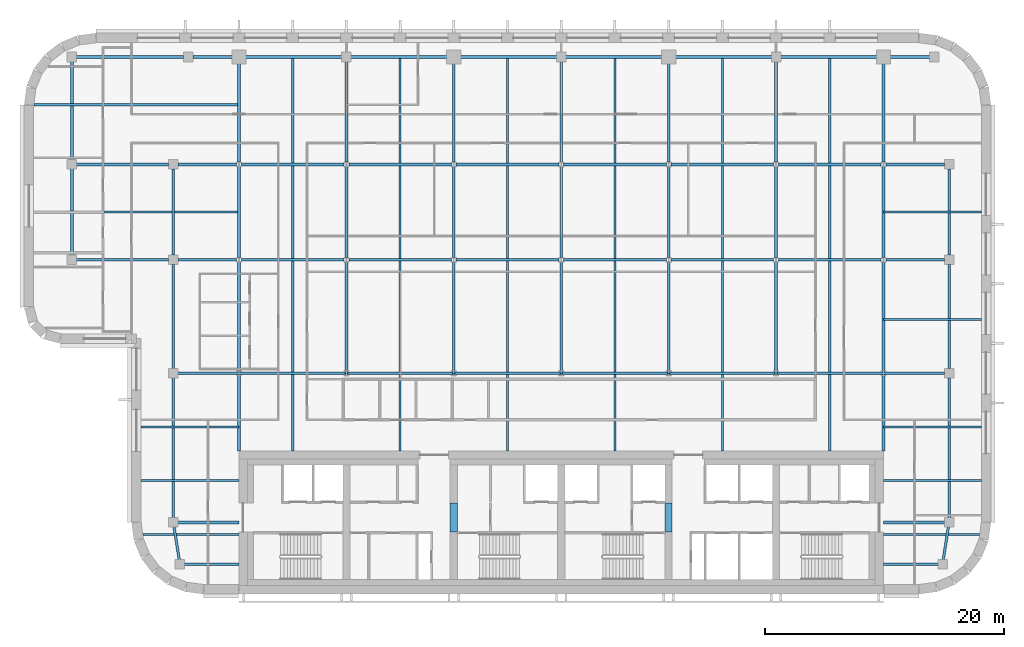
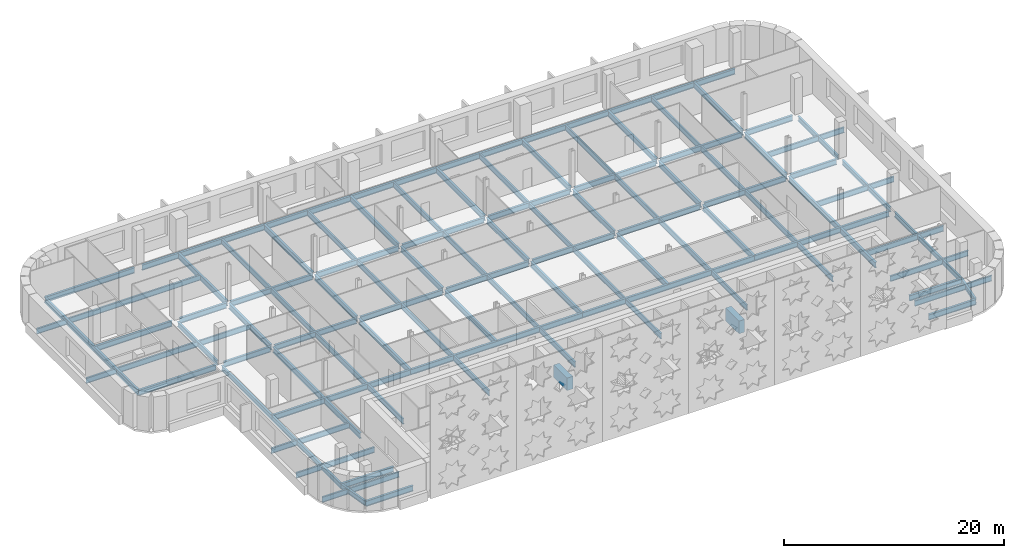
# One storey, part 5 of 18: 80 beams.
"""IFC4 building model written with IfcOpenShell, lengths in metres."""

from ifc_helpers import new_model, si_unit, direction, frame, origin, origin_2d, place, context, subcontext, project, spatial, rectangle, i_section, extrude, material, material_profile, profile_set, type_object, element, save


model = new_model("IFC4")

# Units and contexts
model_context = context("Model", 3, precision=1e-05, world=origin(), true_north=direction((0.0, 1.0)))
body_context = subcontext(model_context, "Body", "Model", "MODEL_VIEW")
ifc_project = project(units=[si_unit("LENGTHUNIT", "METRE"), si_unit("AREAUNIT", "SQUARE_METRE"), si_unit("VOLUMEUNIT", "CUBIC_METRE"), si_unit("PLANEANGLEUNIT", "RADIAN"), si_unit("MASSUNIT", "GRAM", prefix="KILO")], contexts=[model_context])

# Site, building, storey
site_placement = place(None, origin())
site = spatial("IfcSite", under=ifc_project, at=site_placement, CompositionType="ELEMENT")
building_placement = place(site_placement, origin())
building = spatial("IfcBuilding", under=site, at=building_placement, Name="Zellij Exchange Tower", CompositionType="ELEMENT")
storey_placement = place(building_placement, frame((0.0, 0.0, 240.5)))
storey = spatial("IfcBuildingStorey", under=building, at=storey_placement, Name="L56", CompositionType="ELEMENT", Elevation=240.5)

# Beams
ifc_material_1 = material(Name="Concrete C50/60", Category="concrete")
ifc_material_profile_1 = material_profile(ifc_material_1, rectangle(XDim=0.60009765625, YDim=1.39990234375, at=origin_2d()), Name="CORE-CB 600x1400 C50/60")
ifc_profile_set_1 = profile_set([ifc_material_profile_1], Name="Concrete C50/60")
beam_type_1 = type_object("IfcBeamType", Name="CORE-CB 600x1400 C50/60", PredefinedType="BEAM", material=ifc_profile_set_1)
for number, where, z_axis, x_axis, name in (
    (1, (-9.0, -8.800048828125, 3.10009765625), (0.0, 1.0, 0.0), (-1.0, 0.0, 0.0), "Core coupling beam x -9 L56"),
    (2, (9.0, -8.800048828125, 3.10009765625), (0.0, 1.0, 0.0), (-1.0, 0.0, 0.0), "Core coupling beam x 9 L56"),
):
    element("IfcBeam", number, at=place(storey_placement, frame(where, z_axis=z_axis, x_axis=x_axis)), inside=storey, type_object=beam_type_1, Name=name, PredefinedType="BEAM", context=body_context, shape_type="SweptSolid", body=[
        extrude(rectangle(XDim=0.60009765625, YDim=1.39990234375, at=origin_2d()), origin(), (0.0, 0.0, 1.0), 2.425048828125),
    ])
ifc_material_2 = material(Name="Structural steel ASTM A992 Gr 50", Category="steel")
ifc_material_profile_2 = material_profile(ifc_material_2, i_section(OverallWidth=0.177978515625, OverallDepth=0.599365234375, WebThickness=0.010009765625, FlangeThickness=0.012939453125, at=origin_2d()), Name="W24x55")
ifc_profile_set_2 = profile_set([ifc_material_profile_2], Name="Structural steel ASTM A992 Gr 50")
beam_type_2 = type_object("IfcBeamType", Name="STR-BEAM W24x55", PredefinedType="BEAM", material=ifc_profile_set_2)
for number, where, z_axis, x_axis, name in (
    (3, (-22.5, -2.0, -0.499755859375), (0.0, 1.0, 0.0), (-1.0, 0.0, 0.0), "B4"),
    (4, (-13.5, -2.0, -0.499755859375), (0.0, 1.0, 0.0), (-1.0, 0.0, 0.0), "B4"),
    (5, (-4.5, -2.0, -0.499755859375), (0.0, 1.0, 0.0), (-1.0, 0.0, 0.0), "B4"),
    (6, (4.5, -2.0, -0.499755859375), (0.0, 1.0, 0.0), (-1.0, 0.0, 0.0), "B4"),
    (7, (13.5, -2.0, -0.499755859375), (0.0, 1.0, 0.0), (-1.0, 0.0, 0.0), "B4"),
    (8, (22.5, -2.0, -0.499755859375), (0.0, 1.0, 0.0), (-1.0, 0.0, 0.0), "B4"),
):
    element("IfcBeam", number, at=place(storey_placement, frame(where, z_axis=z_axis, x_axis=x_axis)), inside=storey, type_object=beam_type_2, Name=name, PredefinedType="BEAM", context=body_context, shape_type="SweptSolid", body=[
        extrude(i_section(OverallWidth=0.177978515625, OverallDepth=0.599365234375, WebThickness=0.010009765625, FlangeThickness=0.012939453125, at=origin_2d()), origin(), (0.0, 0.0, 1.0), 33.1142578125),
    ])
beam_1_placement = place(storey_placement, frame((-35.06103515625, -9.0, -0.499755859375), z_axis=(1.0, 0.0, 0.0), x_axis=(0.0, 1.0, 0.0)))
element("IfcBeam", 9, at=beam_1_placement, inside=storey, type_object=beam_type_2, Name="B4", PredefinedType="BEAM", context=body_context, shape_type="SweptSolid", body=[
    extrude(i_section(OverallWidth=0.177978515625, OverallDepth=0.599365234375, WebThickness=0.010009765625, FlangeThickness=0.012939453125, at=origin_2d()), origin(), (0.0, 0.0, 1.0), 8.06103515625),
])
for number, where, z_axis, x_axis, name in (
    (10, (-35.199951171875, -4.5, -0.499755859375), (1.0, 0.0, 0.0), (0.0, 1.0, 0.0), "B4"),
    (11, (-35.199951171875, 0.0, -0.499755859375), (1.0, 0.0, 0.0), (0.0, 1.0, 0.0), "B4"),
):
    element("IfcBeam", number, at=place(storey_placement, frame(where, z_axis=z_axis, x_axis=x_axis)), inside=storey, type_object=beam_type_2, Name=name, PredefinedType="BEAM", context=body_context, shape_type="SweptSolid", body=[
        extrude(i_section(OverallWidth=0.177978515625, OverallDepth=0.599365234375, WebThickness=0.010009765625, FlangeThickness=0.012939453125, at=origin_2d()), origin(), (0.0, 0.0, 1.0), 8.199951171875),
    ])
beam_2_placement = place(storey_placement, frame((-44.199951171875, 18.0, -0.499755859375), z_axis=(1.0, 0.0, 0.0), x_axis=(0.0, 1.0, 0.0)))
element("IfcBeam", 12, at=beam_2_placement, inside=storey, type_object=beam_type_2, Name="B4", PredefinedType="BEAM", context=body_context, shape_type="SweptSolid", body=[
    extrude(i_section(OverallWidth=0.177978515625, OverallDepth=0.599365234375, WebThickness=0.010009765625, FlangeThickness=0.012939453125, at=origin_2d()), origin(), (0.0, 0.0, 1.0), 17.199951171875),
])
beam_3_placement = place(storey_placement, frame((-44.193115234375, 27.0, -0.499755859375), z_axis=(1.0, 0.0, 0.0), x_axis=(0.0, 1.0, 0.0)))
element("IfcBeam", 13, at=beam_3_placement, inside=storey, type_object=beam_type_2, Name="B4", PredefinedType="BEAM", context=body_context, shape_type="SweptSolid", body=[
    extrude(i_section(OverallWidth=0.177978515625, OverallDepth=0.599365234375, WebThickness=0.010009765625, FlangeThickness=0.012939453125, at=origin_2d()), origin(), (0.0, 0.0, 1.0), 17.193115234375),
])
beam_4_placement = place(storey_placement, frame((27.0, -9.0, -0.499755859375), z_axis=(1.0, 0.0, 0.0), x_axis=(0.0, 1.0, 0.0)))
element("IfcBeam", 14, at=beam_4_placement, inside=storey, type_object=beam_type_2, Name="B4", PredefinedType="BEAM", context=body_context, shape_type="SweptSolid", body=[
    extrude(i_section(OverallWidth=0.177978515625, OverallDepth=0.599365234375, WebThickness=0.010009765625, FlangeThickness=0.012939453125, at=origin_2d()), origin(), (0.0, 0.0, 1.0), 8.06103515625),
])
for number, where, z_axis, x_axis, name in (
    (15, (27.0, -4.5, -0.499755859375), (1.0, 0.0, 0.0), (0.0, 1.0, 0.0), "B4"),
    (16, (27.0, 0.0, -0.499755859375), (1.0, 0.0, 0.0), (0.0, 1.0, 0.0), "B4"),
    (17, (27.0, 9.0, -0.499755859375), (1.0, 0.0, 0.0), (0.0, 1.0, 0.0), "B4"),
    (18, (27.0, 18.0, -0.499755859375), (1.0, 0.0, 0.0), (0.0, 1.0, 0.0), "B4"),
):
    element("IfcBeam", number, at=place(storey_placement, frame(where, z_axis=z_axis, x_axis=x_axis)), inside=storey, type_object=beam_type_2, Name=name, PredefinedType="BEAM", context=body_context, shape_type="SweptSolid", body=[
        extrude(i_section(OverallWidth=0.177978515625, OverallDepth=0.599365234375, WebThickness=0.010009765625, FlangeThickness=0.012939453125, at=origin_2d()), origin(), (0.0, 0.0, 1.0), 8.199951171875),
    ])
ifc_material_profile_3 = material_profile(ifc_material_2, i_section(OverallWidth=0.209228515625, OverallDepth=0.533447265625, WebThickness=0.01025390625, FlangeThickness=0.015625, at=origin_2d()), Name="W21x62")
ifc_profile_set_3 = profile_set([ifc_material_profile_3], Name="Structural steel ASTM A992 Gr 50")
beam_type_3 = type_object("IfcBeamType", Name="STR-EDGE GIRDER W21x62", PredefinedType="BEAM", material=ifc_profile_set_3)
beam_5_placement = place(storey_placement, frame((-31.949951171875, -11.5, -0.466796875), z_axis=(-0.155251283593, 0.987875011802, 0.0), x_axis=(-0.987875011802, -0.155251283593, 0.0)))
element("IfcBeam", 19, at=beam_5_placement, inside=storey, type_object=beam_type_3, Name="EB3", PredefinedType="BEAM", context=body_context, shape_type="SweptSolid", body=[
    extrude(i_section(OverallWidth=0.209228515625, OverallDepth=0.533447265625, WebThickness=0.01025390625, FlangeThickness=0.015625, at=origin_2d()), origin(), (0.0, 0.0, 1.0), 3.54296875),
])
beam_6_placement = place(storey_placement, frame((-32.5, -8.0, -0.466796875), z_axis=(0.0, 1.0, 0.0), x_axis=(-1.0, 0.0, 0.0)))
element("IfcBeam", 20, at=beam_6_placement, inside=storey, type_object=beam_type_3, Name="EB3", PredefinedType="BEAM", context=body_context, shape_type="SweptSolid", body=[
    extrude(i_section(OverallWidth=0.209228515625, OverallDepth=0.533447265625, WebThickness=0.01025390625, FlangeThickness=0.015625, at=origin_2d()), origin(), (0.0, 0.0, 1.0), 12.5),
])
beam_7_placement = place(storey_placement, frame((-32.5, 4.5, -0.466796875), z_axis=(0.0, 1.0, 0.0), x_axis=(-1.0, 0.0, 0.0)))
element("IfcBeam", 21, at=beam_7_placement, inside=storey, type_object=beam_type_3, Name="EB3", PredefinedType="BEAM", context=body_context, shape_type="SweptSolid", body=[
    extrude(i_section(OverallWidth=0.209228515625, OverallDepth=0.533447265625, WebThickness=0.01025390625, FlangeThickness=0.015625, at=origin_2d()), origin(), (0.0, 0.0, 1.0), 9.10009765625),
])
beam_8_placement = place(storey_placement, frame((-32.5, 14.39990234375, -0.466796875), z_axis=(0.0, 1.0, 0.0), x_axis=(-1.0, 0.0, 0.0)))
element("IfcBeam", 22, at=beam_8_placement, inside=storey, type_object=beam_type_3, Name="EB3", PredefinedType="BEAM", context=body_context, shape_type="SweptSolid", body=[
    extrude(i_section(OverallWidth=0.209228515625, OverallDepth=0.533447265625, WebThickness=0.01025390625, FlangeThickness=0.015625, at=origin_2d()), origin(), (0.0, 0.0, 1.0), 7.2001953125),
])
beam_9_placement = place(storey_placement, frame((31.949951171875, -11.5, -0.466796875), z_axis=(0.155251283593, 0.987875011802, 0.0), x_axis=(-0.987875011802, 0.155251283593, 0.0)))
element("IfcBeam", 23, at=beam_9_placement, inside=storey, type_object=beam_type_3, Name="EB3", PredefinedType="BEAM", context=body_context, shape_type="SweptSolid", body=[
    extrude(i_section(OverallWidth=0.209228515625, OverallDepth=0.533447265625, WebThickness=0.01025390625, FlangeThickness=0.015625, at=origin_2d()), origin(), (0.0, 0.0, 1.0), 3.54296875),
])
beam_10_placement = place(storey_placement, frame((32.5, -8.0, -0.466796875), z_axis=(0.0, 1.0, 0.0), x_axis=(-1.0, 0.0, 0.0)))
element("IfcBeam", 24, at=beam_10_placement, inside=storey, type_object=beam_type_3, Name="EB3", PredefinedType="BEAM", context=body_context, shape_type="SweptSolid", body=[
    extrude(i_section(OverallWidth=0.209228515625, OverallDepth=0.533447265625, WebThickness=0.01025390625, FlangeThickness=0.015625, at=origin_2d()), origin(), (0.0, 0.0, 1.0), 12.10009765625),
])
beam_11_placement = place(storey_placement, frame((32.5, 4.89990234375, -0.466796875), z_axis=(0.0, 1.0, 0.0), x_axis=(-1.0, 0.0, 0.0)))
element("IfcBeam", 25, at=beam_11_placement, inside=storey, type_object=beam_type_3, Name="EB3", PredefinedType="BEAM", context=body_context, shape_type="SweptSolid", body=[
    extrude(i_section(OverallWidth=0.209228515625, OverallDepth=0.533447265625, WebThickness=0.01025390625, FlangeThickness=0.015625, at=origin_2d()), origin(), (0.0, 0.0, 1.0), 8.7001953125),
])
beam_12_placement = place(storey_placement, frame((32.5, 14.39990234375, -0.466796875), z_axis=(0.0, 1.0, 0.0), x_axis=(-1.0, 0.0, 0.0)))
element("IfcBeam", 26, at=beam_12_placement, inside=storey, type_object=beam_type_3, Name="EB3", PredefinedType="BEAM", context=body_context, shape_type="SweptSolid", body=[
    extrude(i_section(OverallWidth=0.209228515625, OverallDepth=0.533447265625, WebThickness=0.01025390625, FlangeThickness=0.015625, at=origin_2d()), origin(), (0.0, 0.0, 1.0), 7.2001953125),
])
ifc_material_profile_4 = material_profile(ifc_material_2, i_section(OverallWidth=0.228271484375, OverallDepth=0.607177734375, WebThickness=0.01123046875, FlangeThickness=0.017333984375, at=origin_2d()), Name="W24x76")
ifc_profile_set_4 = profile_set([ifc_material_profile_4], Name="Structural steel ASTM A992 Gr 50")
beam_type_4 = type_object("IfcBeamType", Name="STR-GIRDER W24x76", PredefinedType="BEAM", material=ifc_profile_set_4)
for number, where, z_axis, x_axis, name in (
    (27, (-31.949951171875, -11.5, -0.50341796875), (1.0, 0.0, 0.0), (0.0, 1.0, 0.0), "G2"),
    (28, (27.0, -11.5, -0.50341796875), (1.0, 0.0, 0.0), (0.0, 1.0, 0.0), "G2"),
):
    element("IfcBeam", number, at=place(storey_placement, frame(where, z_axis=z_axis, x_axis=x_axis)), inside=storey, type_object=beam_type_4, Name=name, PredefinedType="BEAM", context=body_context, shape_type="SweptSolid", body=[
        extrude(i_section(OverallWidth=0.228271484375, OverallDepth=0.607177734375, WebThickness=0.01123046875, FlangeThickness=0.017333984375, at=origin_2d()), origin(), (0.0, 0.0, 1.0), 4.949951171875),
    ])
for number, where, z_axis, x_axis, name in (
    (29, (-32.5, -8.0, -0.50341796875), (1.0, 0.0, 0.0), (0.0, 1.0, 0.0), "G2"),
    (30, (27.0, -8.0, -0.50341796875), (1.0, 0.0, 0.0), (0.0, 1.0, 0.0), "G2"),
):
    element("IfcBeam", number, at=place(storey_placement, frame(where, z_axis=z_axis, x_axis=x_axis)), inside=storey, type_object=beam_type_4, Name=name, PredefinedType="BEAM", context=body_context, shape_type="SweptSolid", body=[
        extrude(i_section(OverallWidth=0.228271484375, OverallDepth=0.607177734375, WebThickness=0.01123046875, FlangeThickness=0.017333984375, at=origin_2d()), origin(), (0.0, 0.0, 1.0), 5.5),
    ])
beam_13_placement = place(storey_placement, frame((-32.5, 4.5, -0.50341796875), z_axis=(1.0, 0.0, 0.0), x_axis=(0.0, 1.0, 0.0)))
element("IfcBeam", 31, at=beam_13_placement, inside=storey, type_object=beam_type_4, Name="G2", PredefinedType="BEAM", context=body_context, shape_type="SweptSolid", body=[
    extrude(i_section(OverallWidth=0.228271484375, OverallDepth=0.607177734375, WebThickness=0.01123046875, FlangeThickness=0.017333984375, at=origin_2d()), origin(), (0.0, 0.0, 1.0), 14.5),
])
for number, where, z_axis, x_axis, name in (
    (32, (-18.0, 4.5, -0.50341796875), (1.0, 0.0, 0.0), (0.0, 1.0, 0.0), "G2"),
    (33, (0.0, 4.5, -0.50341796875), (1.0, 0.0, 0.0), (0.0, 1.0, 0.0), "G2"),
):
    element("IfcBeam", number, at=place(storey_placement, frame(where, z_axis=z_axis, x_axis=x_axis)), inside=storey, type_object=beam_type_4, Name=name, PredefinedType="BEAM", context=body_context, shape_type="SweptSolid", body=[
        extrude(i_section(OverallWidth=0.228271484375, OverallDepth=0.607177734375, WebThickness=0.01123046875, FlangeThickness=0.017333984375, at=origin_2d()), origin(), (0.0, 0.0, 1.0), 18.0),
    ])
beam_14_placement = place(storey_placement, frame((18.0, 4.5, -0.50341796875), z_axis=(1.0, 0.0, 0.0), x_axis=(0.0, 1.0, 0.0)))
element("IfcBeam", 34, at=beam_14_placement, inside=storey, type_object=beam_type_4, Name="G2", PredefinedType="BEAM", context=body_context, shape_type="SweptSolid", body=[
    extrude(i_section(OverallWidth=0.228271484375, OverallDepth=0.607177734375, WebThickness=0.01123046875, FlangeThickness=0.017333984375, at=origin_2d()), origin(), (0.0, 0.0, 1.0), 14.10009765625),
])
beam_15_placement = place(storey_placement, frame((-41.0, 14.0, -0.50341796875), z_axis=(1.0, 0.0, 0.0), x_axis=(0.0, 1.0, 0.0)))
element("IfcBeam", 35, at=beam_15_placement, inside=storey, type_object=beam_type_4, Name="G2", PredefinedType="BEAM", context=body_context, shape_type="SweptSolid", body=[
    extrude(i_section(OverallWidth=0.228271484375, OverallDepth=0.607177734375, WebThickness=0.01123046875, FlangeThickness=0.017333984375, at=origin_2d()), origin(), (0.0, 0.0, 1.0), 8.10009765625),
])
beam_16_placement = place(storey_placement, frame((-32.10009765625, 14.0, -0.50341796875), z_axis=(1.0, 0.0, 0.0), x_axis=(0.0, 1.0, 0.0)))
element("IfcBeam", 36, at=beam_16_placement, inside=storey, type_object=beam_type_4, Name="G2", PredefinedType="BEAM", context=body_context, shape_type="SweptSolid", body=[
    extrude(i_section(OverallWidth=0.228271484375, OverallDepth=0.607177734375, WebThickness=0.01123046875, FlangeThickness=0.017333984375, at=origin_2d()), origin(), (0.0, 0.0, 1.0), 4.900634765625),
])
for number, where, z_axis, x_axis, name in (
    (37, (-26.800537109375, 14.0, -0.50341796875), (1.0, 0.0, 0.0), (0.0, 1.0, 0.0), "G2"),
    (38, (-17.800537109375, 14.0, -0.50341796875), (1.0, 0.0, 0.0), (0.0, 1.0, 0.0), "G2"),
    (39, (-8.800537109375, 14.0, -0.50341796875), (1.0, 0.0, 0.0), (0.0, 1.0, 0.0), "G2"),
    (40, (0.199462890625, 14.0, -0.50341796875), (1.0, 0.0, 0.0), (0.0, 1.0, 0.0), "G2"),
    (41, (9.199462890625, 14.0, -0.50341796875), (1.0, 0.0, 0.0), (0.0, 1.0, 0.0), "G2"),
    (42, (18.199462890625, 14.0, -0.50341796875), (1.0, 0.0, 0.0), (0.0, 1.0, 0.0), "G2"),
):
    element("IfcBeam", number, at=place(storey_placement, frame(where, z_axis=z_axis, x_axis=x_axis)), inside=storey, type_object=beam_type_4, Name=name, PredefinedType="BEAM", context=body_context, shape_type="SweptSolid", body=[
        extrude(i_section(OverallWidth=0.228271484375, OverallDepth=0.607177734375, WebThickness=0.01123046875, FlangeThickness=0.017333984375, at=origin_2d()), origin(), (0.0, 0.0, 1.0), 8.60107421875),
    ])
beam_17_placement = place(storey_placement, frame((27.199462890625, 14.0, -0.50341796875), z_axis=(1.0, 0.0, 0.0), x_axis=(0.0, 1.0, 0.0)))
element("IfcBeam", 43, at=beam_17_placement, inside=storey, type_object=beam_type_4, Name="G2", PredefinedType="BEAM", context=body_context, shape_type="SweptSolid", body=[
    extrude(i_section(OverallWidth=0.228271484375, OverallDepth=0.607177734375, WebThickness=0.01123046875, FlangeThickness=0.017333984375, at=origin_2d()), origin(), (0.0, 0.0, 1.0), 4.900634765625),
])
beam_18_placement = place(storey_placement, frame((-41.0, 22.0, -0.50341796875), z_axis=(1.0, 0.0, 0.0), x_axis=(0.0, 1.0, 0.0)))
element("IfcBeam", 44, at=beam_18_placement, inside=storey, type_object=beam_type_4, Name="G2", PredefinedType="BEAM", context=body_context, shape_type="SweptSolid", body=[
    extrude(i_section(OverallWidth=0.228271484375, OverallDepth=0.607177734375, WebThickness=0.01123046875, FlangeThickness=0.017333984375, at=origin_2d()), origin(), (0.0, 0.0, 1.0), 8.10009765625),
])
beam_19_placement = place(storey_placement, frame((-32.10009765625, 22.0, -0.50341796875), z_axis=(1.0, 0.0, 0.0), x_axis=(0.0, 1.0, 0.0)))
element("IfcBeam", 45, at=beam_19_placement, inside=storey, type_object=beam_type_4, Name="G2", PredefinedType="BEAM", context=body_context, shape_type="SweptSolid", body=[
    extrude(i_section(OverallWidth=0.228271484375, OverallDepth=0.607177734375, WebThickness=0.01123046875, FlangeThickness=0.017333984375, at=origin_2d()), origin(), (0.0, 0.0, 1.0), 4.900634765625),
])
for number, where, z_axis, x_axis, name in (
    (46, (-26.800537109375, 22.0, -0.50341796875), (1.0, 0.0, 0.0), (0.0, 1.0, 0.0), "G2"),
    (47, (-17.800537109375, 22.0, -0.50341796875), (1.0, 0.0, 0.0), (0.0, 1.0, 0.0), "G2"),
    (48, (-8.800537109375, 22.0, -0.50341796875), (1.0, 0.0, 0.0), (0.0, 1.0, 0.0), "G2"),
    (49, (0.199462890625, 22.0, -0.50341796875), (1.0, 0.0, 0.0), (0.0, 1.0, 0.0), "G2"),
    (50, (9.199462890625, 22.0, -0.50341796875), (1.0, 0.0, 0.0), (0.0, 1.0, 0.0), "G2"),
    (51, (18.199462890625, 22.0, -0.50341796875), (1.0, 0.0, 0.0), (0.0, 1.0, 0.0), "G2"),
):
    element("IfcBeam", number, at=place(storey_placement, frame(where, z_axis=z_axis, x_axis=x_axis)), inside=storey, type_object=beam_type_4, Name=name, PredefinedType="BEAM", context=body_context, shape_type="SweptSolid", body=[
        extrude(i_section(OverallWidth=0.228271484375, OverallDepth=0.607177734375, WebThickness=0.01123046875, FlangeThickness=0.017333984375, at=origin_2d()), origin(), (0.0, 0.0, 1.0), 8.60107421875),
    ])
beam_20_placement = place(storey_placement, frame((27.199462890625, 22.0, -0.50341796875), z_axis=(1.0, 0.0, 0.0), x_axis=(0.0, 1.0, 0.0)))
element("IfcBeam", 52, at=beam_20_placement, inside=storey, type_object=beam_type_4, Name="G2", PredefinedType="BEAM", context=body_context, shape_type="SweptSolid", body=[
    extrude(i_section(OverallWidth=0.228271484375, OverallDepth=0.607177734375, WebThickness=0.01123046875, FlangeThickness=0.017333984375, at=origin_2d()), origin(), (0.0, 0.0, 1.0), 4.900634765625),
])
beam_21_placement = place(storey_placement, frame((-41.0, 31.0, -0.50341796875), z_axis=(1.0, 0.0, 0.0), x_axis=(0.0, 1.0, 0.0)))
element("IfcBeam", 53, at=beam_21_placement, inside=storey, type_object=beam_type_4, Name="G2", PredefinedType="BEAM", context=body_context, shape_type="SweptSolid", body=[
    extrude(i_section(OverallWidth=0.228271484375, OverallDepth=0.607177734375, WebThickness=0.01123046875, FlangeThickness=0.017333984375, at=origin_2d()), origin(), (0.0, 0.0, 1.0), 9.35009765625),
])
beam_22_placement = place(storey_placement, frame((-30.85009765625, 31.0, -0.50341796875), z_axis=(1.0, 0.0, 0.0), x_axis=(0.0, 1.0, 0.0)))
element("IfcBeam", 54, at=beam_22_placement, inside=storey, type_object=beam_type_4, Name="G2", PredefinedType="BEAM", context=body_context, shape_type="SweptSolid", body=[
    extrude(i_section(OverallWidth=0.228271484375, OverallDepth=0.607177734375, WebThickness=0.01123046875, FlangeThickness=0.017333984375, at=origin_2d()), origin(), (0.0, 0.0, 1.0), 3.85009765625),
])
for number, where, z_axis, x_axis, name in (
    (55, (-27.0, 31.0, -0.50341796875), (1.0, 0.0, 0.0), (0.0, 1.0, 0.0), "G2"),
    (56, (-9.0, 31.0, -0.50341796875), (1.0, 0.0, 0.0), (0.0, 1.0, 0.0), "G2"),
    (57, (9.0, 31.0, -0.50341796875), (1.0, 0.0, 0.0), (0.0, 1.0, 0.0), "G2"),
):
    element("IfcBeam", number, at=place(storey_placement, frame(where, z_axis=z_axis, x_axis=x_axis)), inside=storey, type_object=beam_type_4, Name=name, PredefinedType="BEAM", context=body_context, shape_type="SweptSolid", body=[
        extrude(i_section(OverallWidth=0.228271484375, OverallDepth=0.607177734375, WebThickness=0.01123046875, FlangeThickness=0.017333984375, at=origin_2d()), origin(), (0.0, 0.0, 1.0), 18.0),
    ])
beam_23_placement = place(storey_placement, frame((27.0, 31.0, -0.50341796875), z_axis=(1.0, 0.0, 0.0), x_axis=(0.0, 1.0, 0.0)))
element("IfcBeam", 58, at=beam_23_placement, inside=storey, type_object=beam_type_4, Name="G2", PredefinedType="BEAM", context=body_context, shape_type="SweptSolid", body=[
    extrude(i_section(OverallWidth=0.228271484375, OverallDepth=0.607177734375, WebThickness=0.01123046875, FlangeThickness=0.017333984375, at=origin_2d()), origin(), (0.0, 0.0, 1.0), 4.25),
])
beam_24_placement = place(storey_placement, frame((-41.0, 14.0, -0.50341796875), z_axis=(0.0, 1.0, 0.0), x_axis=(-1.0, 0.0, 0.0)))
element("IfcBeam", 59, at=beam_24_placement, inside=storey, type_object=beam_type_4, Name="G2", PredefinedType="BEAM", context=body_context, shape_type="SweptSolid", body=[
    extrude(i_section(OverallWidth=0.228271484375, OverallDepth=0.607177734375, WebThickness=0.01123046875, FlangeThickness=0.017333984375, at=origin_2d()), origin(), (0.0, 0.0, 1.0), 17.0),
])
beam_25_placement = place(storey_placement, frame((-27.0, -2.0, -0.50341796875), z_axis=(0.0, 1.0, 0.0), x_axis=(-1.0, 0.0, 0.0)))
element("IfcBeam", 60, at=beam_25_placement, inside=storey, type_object=beam_type_4, Name="G2", PredefinedType="BEAM", context=body_context, shape_type="SweptSolid", body=[
    extrude(i_section(OverallWidth=0.228271484375, OverallDepth=0.607177734375, WebThickness=0.01123046875, FlangeThickness=0.017333984375, at=origin_2d()), origin(), (0.0, 0.0, 1.0), 15.806884765625),
])
beam_26_placement = place(storey_placement, frame((-27.0, 14.193115234375, -0.50341796875), z_axis=(0.0, 1.0, 0.0), x_axis=(-1.0, 0.0, 0.0)))
element("IfcBeam", 61, at=beam_26_placement, inside=storey, type_object=beam_type_4, Name="G2", PredefinedType="BEAM", context=body_context, shape_type="SweptSolid", body=[
    extrude(i_section(OverallWidth=0.228271484375, OverallDepth=0.607177734375, WebThickness=0.01123046875, FlangeThickness=0.017333984375, at=origin_2d()), origin(), (0.0, 0.0, 1.0), 7.61376953125),
])
beam_27_placement = place(storey_placement, frame((-27.0, 22.193115234375, -0.50341796875), z_axis=(0.0, 1.0, 0.0), x_axis=(-1.0, 0.0, 0.0)))
element("IfcBeam", 62, at=beam_27_placement, inside=storey, type_object=beam_type_4, Name="G2", PredefinedType="BEAM", context=body_context, shape_type="SweptSolid", body=[
    extrude(i_section(OverallWidth=0.228271484375, OverallDepth=0.607177734375, WebThickness=0.01123046875, FlangeThickness=0.017333984375, at=origin_2d()), origin(), (0.0, 0.0, 1.0), 8.806884765625),
])
beam_28_placement = place(storey_placement, frame((-18.0, 4.5, -0.50341796875), z_axis=(0.0, 1.0, 0.0), x_axis=(-1.0, 0.0, 0.0)))
element("IfcBeam", 63, at=beam_28_placement, inside=storey, type_object=beam_type_4, Name="G2", PredefinedType="BEAM", context=body_context, shape_type="SweptSolid", body=[
    extrude(i_section(OverallWidth=0.228271484375, OverallDepth=0.607177734375, WebThickness=0.01123046875, FlangeThickness=0.017333984375, at=origin_2d()), origin(), (0.0, 0.0, 1.0), 9.306884765625),
])
beam_29_placement = place(storey_placement, frame((-18.0, 14.193115234375, -0.50341796875), z_axis=(0.0, 1.0, 0.0), x_axis=(-1.0, 0.0, 0.0)))
element("IfcBeam", 64, at=beam_29_placement, inside=storey, type_object=beam_type_4, Name="G2", PredefinedType="BEAM", context=body_context, shape_type="SweptSolid", body=[
    extrude(i_section(OverallWidth=0.228271484375, OverallDepth=0.607177734375, WebThickness=0.01123046875, FlangeThickness=0.017333984375, at=origin_2d()), origin(), (0.0, 0.0, 1.0), 7.61376953125),
])
beam_30_placement = place(storey_placement, frame((-18.0, 22.193115234375, -0.50341796875), z_axis=(0.0, 1.0, 0.0), x_axis=(-1.0, 0.0, 0.0)))
element("IfcBeam", 65, at=beam_30_placement, inside=storey, type_object=beam_type_4, Name="G2", PredefinedType="BEAM", context=body_context, shape_type="SweptSolid", body=[
    extrude(i_section(OverallWidth=0.228271484375, OverallDepth=0.607177734375, WebThickness=0.01123046875, FlangeThickness=0.017333984375, at=origin_2d()), origin(), (0.0, 0.0, 1.0), 8.806884765625),
])
beam_31_placement = place(storey_placement, frame((-9.0, 4.5, -0.50341796875), z_axis=(0.0, 1.0, 0.0), x_axis=(-1.0, 0.0, 0.0)))
element("IfcBeam", 66, at=beam_31_placement, inside=storey, type_object=beam_type_4, Name="G2", PredefinedType="BEAM", context=body_context, shape_type="SweptSolid", body=[
    extrude(i_section(OverallWidth=0.228271484375, OverallDepth=0.607177734375, WebThickness=0.01123046875, FlangeThickness=0.017333984375, at=origin_2d()), origin(), (0.0, 0.0, 1.0), 9.306884765625),
])
beam_32_placement = place(storey_placement, frame((-9.0, 14.193115234375, -0.50341796875), z_axis=(0.0, 1.0, 0.0), x_axis=(-1.0, 0.0, 0.0)))
element("IfcBeam", 67, at=beam_32_placement, inside=storey, type_object=beam_type_4, Name="G2", PredefinedType="BEAM", context=body_context, shape_type="SweptSolid", body=[
    extrude(i_section(OverallWidth=0.228271484375, OverallDepth=0.607177734375, WebThickness=0.01123046875, FlangeThickness=0.017333984375, at=origin_2d()), origin(), (0.0, 0.0, 1.0), 7.61376953125),
])
beam_33_placement = place(storey_placement, frame((-9.0, 22.193115234375, -0.50341796875), z_axis=(0.0, 1.0, 0.0), x_axis=(-1.0, 0.0, 0.0)))
element("IfcBeam", 68, at=beam_33_placement, inside=storey, type_object=beam_type_4, Name="G2", PredefinedType="BEAM", context=body_context, shape_type="SweptSolid", body=[
    extrude(i_section(OverallWidth=0.228271484375, OverallDepth=0.607177734375, WebThickness=0.01123046875, FlangeThickness=0.017333984375, at=origin_2d()), origin(), (0.0, 0.0, 1.0), 8.806884765625),
])
beam_34_placement = place(storey_placement, frame((0.0, 4.5, -0.50341796875), z_axis=(0.0, 1.0, 0.0), x_axis=(-1.0, 0.0, 0.0)))
element("IfcBeam", 69, at=beam_34_placement, inside=storey, type_object=beam_type_4, Name="G2", PredefinedType="BEAM", context=body_context, shape_type="SweptSolid", body=[
    extrude(i_section(OverallWidth=0.228271484375, OverallDepth=0.607177734375, WebThickness=0.01123046875, FlangeThickness=0.017333984375, at=origin_2d()), origin(), (0.0, 0.0, 1.0), 9.306884765625),
])
beam_35_placement = place(storey_placement, frame((0.0, 14.193115234375, -0.50341796875), z_axis=(0.0, 1.0, 0.0), x_axis=(-1.0, 0.0, 0.0)))
element("IfcBeam", 70, at=beam_35_placement, inside=storey, type_object=beam_type_4, Name="G2", PredefinedType="BEAM", context=body_context, shape_type="SweptSolid", body=[
    extrude(i_section(OverallWidth=0.228271484375, OverallDepth=0.607177734375, WebThickness=0.01123046875, FlangeThickness=0.017333984375, at=origin_2d()), origin(), (0.0, 0.0, 1.0), 7.61376953125),
])
beam_36_placement = place(storey_placement, frame((0.0, 22.193115234375, -0.50341796875), z_axis=(0.0, 1.0, 0.0), x_axis=(-1.0, 0.0, 0.0)))
element("IfcBeam", 71, at=beam_36_placement, inside=storey, type_object=beam_type_4, Name="G2", PredefinedType="BEAM", context=body_context, shape_type="SweptSolid", body=[
    extrude(i_section(OverallWidth=0.228271484375, OverallDepth=0.607177734375, WebThickness=0.01123046875, FlangeThickness=0.017333984375, at=origin_2d()), origin(), (0.0, 0.0, 1.0), 8.806884765625),
])
beam_37_placement = place(storey_placement, frame((9.0, 4.5, -0.50341796875), z_axis=(0.0, 1.0, 0.0), x_axis=(-1.0, 0.0, 0.0)))
element("IfcBeam", 72, at=beam_37_placement, inside=storey, type_object=beam_type_4, Name="G2", PredefinedType="BEAM", context=body_context, shape_type="SweptSolid", body=[
    extrude(i_section(OverallWidth=0.228271484375, OverallDepth=0.607177734375, WebThickness=0.01123046875, FlangeThickness=0.017333984375, at=origin_2d()), origin(), (0.0, 0.0, 1.0), 9.306884765625),
])
beam_38_placement = place(storey_placement, frame((9.0, 14.193115234375, -0.50341796875), z_axis=(0.0, 1.0, 0.0), x_axis=(-1.0, 0.0, 0.0)))
element("IfcBeam", 73, at=beam_38_placement, inside=storey, type_object=beam_type_4, Name="G2", PredefinedType="BEAM", context=body_context, shape_type="SweptSolid", body=[
    extrude(i_section(OverallWidth=0.228271484375, OverallDepth=0.607177734375, WebThickness=0.01123046875, FlangeThickness=0.017333984375, at=origin_2d()), origin(), (0.0, 0.0, 1.0), 7.61376953125),
])
beam_39_placement = place(storey_placement, frame((9.0, 22.193115234375, -0.50341796875), z_axis=(0.0, 1.0, 0.0), x_axis=(-1.0, 0.0, 0.0)))
element("IfcBeam", 74, at=beam_39_placement, inside=storey, type_object=beam_type_4, Name="G2", PredefinedType="BEAM", context=body_context, shape_type="SweptSolid", body=[
    extrude(i_section(OverallWidth=0.228271484375, OverallDepth=0.607177734375, WebThickness=0.01123046875, FlangeThickness=0.017333984375, at=origin_2d()), origin(), (0.0, 0.0, 1.0), 8.806884765625),
])
beam_40_placement = place(storey_placement, frame((18.0, 4.5, -0.50341796875), z_axis=(0.0, 1.0, 0.0), x_axis=(-1.0, 0.0, 0.0)))
element("IfcBeam", 75, at=beam_40_placement, inside=storey, type_object=beam_type_4, Name="G2", PredefinedType="BEAM", context=body_context, shape_type="SweptSolid", body=[
    extrude(i_section(OverallWidth=0.228271484375, OverallDepth=0.607177734375, WebThickness=0.01123046875, FlangeThickness=0.017333984375, at=origin_2d()), origin(), (0.0, 0.0, 1.0), 9.306884765625),
])
beam_41_placement = place(storey_placement, frame((18.0, 14.193115234375, -0.50341796875), z_axis=(0.0, 1.0, 0.0), x_axis=(-1.0, 0.0, 0.0)))
element("IfcBeam", 76, at=beam_41_placement, inside=storey, type_object=beam_type_4, Name="G2", PredefinedType="BEAM", context=body_context, shape_type="SweptSolid", body=[
    extrude(i_section(OverallWidth=0.228271484375, OverallDepth=0.607177734375, WebThickness=0.01123046875, FlangeThickness=0.017333984375, at=origin_2d()), origin(), (0.0, 0.0, 1.0), 7.61376953125),
])
beam_42_placement = place(storey_placement, frame((18.0, 22.193115234375, -0.50341796875), z_axis=(0.0, 1.0, 0.0), x_axis=(-1.0, 0.0, 0.0)))
element("IfcBeam", 77, at=beam_42_placement, inside=storey, type_object=beam_type_4, Name="G2", PredefinedType="BEAM", context=body_context, shape_type="SweptSolid", body=[
    extrude(i_section(OverallWidth=0.228271484375, OverallDepth=0.607177734375, WebThickness=0.01123046875, FlangeThickness=0.017333984375, at=origin_2d()), origin(), (0.0, 0.0, 1.0), 8.806884765625),
])
beam_43_placement = place(storey_placement, frame((27.0, -2.0, -0.50341796875), z_axis=(0.0, 1.0, 0.0), x_axis=(-1.0, 0.0, 0.0)))
element("IfcBeam", 78, at=beam_43_placement, inside=storey, type_object=beam_type_4, Name="G2", PredefinedType="BEAM", context=body_context, shape_type="SweptSolid", body=[
    extrude(i_section(OverallWidth=0.228271484375, OverallDepth=0.607177734375, WebThickness=0.01123046875, FlangeThickness=0.017333984375, at=origin_2d()), origin(), (0.0, 0.0, 1.0), 15.806884765625),
])
beam_44_placement = place(storey_placement, frame((27.0, 14.193115234375, -0.50341796875), z_axis=(0.0, 1.0, 0.0), x_axis=(-1.0, 0.0, 0.0)))
element("IfcBeam", 79, at=beam_44_placement, inside=storey, type_object=beam_type_4, Name="G2", PredefinedType="BEAM", context=body_context, shape_type="SweptSolid", body=[
    extrude(i_section(OverallWidth=0.228271484375, OverallDepth=0.607177734375, WebThickness=0.01123046875, FlangeThickness=0.017333984375, at=origin_2d()), origin(), (0.0, 0.0, 1.0), 7.61376953125),
])
beam_45_placement = place(storey_placement, frame((27.0, 22.193115234375, -0.50341796875), z_axis=(0.0, 1.0, 0.0), x_axis=(-1.0, 0.0, 0.0)))
element("IfcBeam", 80, at=beam_45_placement, inside=storey, type_object=beam_type_4, Name="G2", PredefinedType="BEAM", context=body_context, shape_type="SweptSolid", body=[
    extrude(i_section(OverallWidth=0.228271484375, OverallDepth=0.607177734375, WebThickness=0.01123046875, FlangeThickness=0.017333984375, at=origin_2d()), origin(), (0.0, 0.0, 1.0), 8.806884765625),
])

save(model, "model.ifc")
